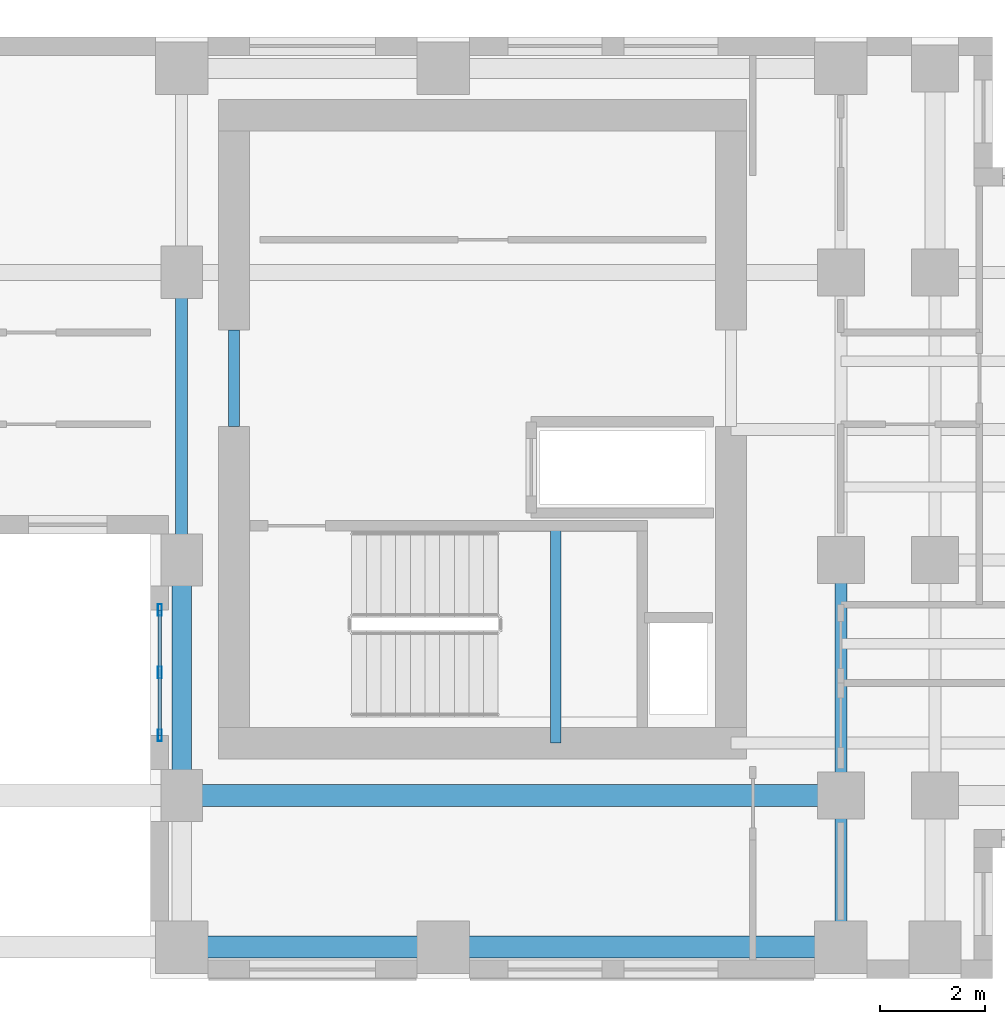
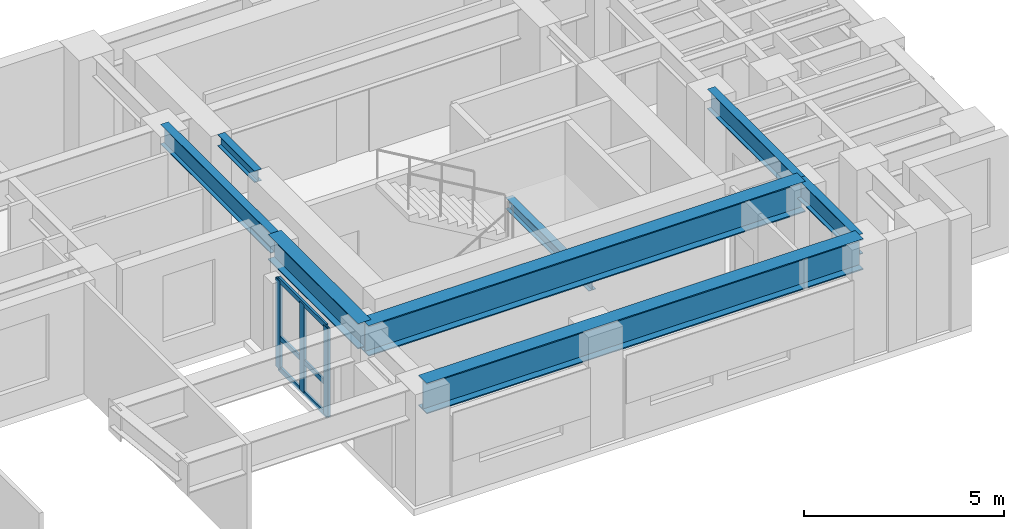
# One storey, part 2 of 13: 8 beams, 6 members, 1 element without a shape of its own.
"""IFC4 building model written with IfcOpenShell, lengths in metres."""

from ifc_helpers import new_model, si_unit, direction, frame, origin, origin_2d, place, context, subcontext, project, spatial, hollow_rectangle, i_section, extrude, source, transform, mapped, material, layer, layer_set, material_profile, profile_set, type_object, element, aggregate, save


model = new_model("IFC4")

# Units and contexts
model_context = context("Model", 3, precision=1e-05, world=origin(), true_north=direction((0.0, 1.0)))
body_context = subcontext(model_context, "Body", "Model", "MODEL_VIEW")
ifc_project = project(units=[si_unit("LENGTHUNIT", "METRE"), si_unit("AREAUNIT", "SQUARE_METRE"), si_unit("VOLUMEUNIT", "CUBIC_METRE"), si_unit("PLANEANGLEUNIT", "RADIAN"), si_unit("MASSUNIT", "GRAM", prefix="KILO")], contexts=[model_context])

# Site, building, storey
site_placement = place(None, origin())
site = spatial("IfcSite", under=ifc_project, at=site_placement, CompositionType="ELEMENT")
building_placement = place(site_placement, origin())
building = spatial("IfcBuilding", under=site, at=building_placement, Name="Kharzan Plaza Tower", CompositionType="ELEMENT")
storey_placement = place(building_placement, frame((0.0, 0.0, 189.89990234375)))
storey = spatial("IfcBuildingStorey", under=building, at=storey_placement, Name="L51", CompositionType="ELEMENT", Elevation=189.89990234375)

# Beams
ifc_material_1 = material(Name="Steel S355", Category="steel")
ifc_material_profile_1 = material_profile(ifc_material_1, i_section(OverallWidth=0.205078125, OverallDepth=0.35400390625, WebThickness=0.009521484375, FlangeThickness=0.016845703125, at=origin_2d()), Name="W360x79")
ifc_profile_set_1 = profile_set([ifc_material_profile_1], Name="Steel S355")
beam_type_1 = type_object("IfcBeamType", Name="BM-LNT360", PredefinedType="LINTEL", material=ifc_profile_set_1)
shared_shape_1 = source(origin(), body_context, "Body", "SweptSolid", [
    extrude(i_section(OverallWidth=0.205078125, OverallDepth=0.35400390625, WebThickness=0.009521484375, FlangeThickness=0.016845703125, at=origin_2d()), origin(), (0.0, 0.0, 1.0), 1.849853515625),
])
beam_1_placement = place(storey_placement, frame((36.0, 10.550048828125, 3.22314453125), z_axis=(0.0, 1.0, 0.0), x_axis=(-1.0, 0.0, 0.0)))
element("IfcBeam", 1, at=beam_1_placement, inside=storey, type_object=beam_type_1, Name="L51 CORE-B coupling lintel LN1-WW", PredefinedType="LINTEL", context=body_context, shape_type="MappedRepresentation", body=[
    mapped(shared_shape_1, transform((0.0, 0.0, 0.0), x_axis=(1.0, 0.0, 0.0), y_axis=(0.0, 1.0, 0.0), z_axis=(0.0, 0.0, 1.0))),
])
shared_shape_2 = source(origin(), body_context, "Body", "SweptSolid", [
    extrude(i_section(OverallWidth=0.205078125, OverallDepth=0.35400390625, WebThickness=0.009521484375, FlangeThickness=0.016845703125, at=origin_2d()), origin(), (0.0, 0.0, 1.0), 4.155029296875),
])
beam_2_placement = place(storey_placement, frame((42.14990234375, 4.5, 1.423095703125), z_axis=(0.0, 1.0, 0.0), x_axis=(-1.0, 0.0, 0.0)))
element("IfcBeam", 2, at=beam_2_placement, inside=storey, type_object=beam_type_1, Name="L51 Stair ST-3 Half-Landing Beam", PredefinedType="LINTEL", context=body_context, shape_type="MappedRepresentation", body=[
    mapped(shared_shape_2, transform((0.0, 0.0, 0.0), x_axis=(1.0, 0.0, 0.0), y_axis=(0.0, 1.0, 0.0), z_axis=(0.0, 0.0, 1.0))),
])
ifc_material_profile_2 = material_profile(ifc_material_1, i_section(OverallWidth=0.41796875, OverallDepth=0.93701171875, WebThickness=0.019287109375, FlangeThickness=0.031982421875, at=origin_2d()), Name="W920x342")
ifc_profile_set_2 = profile_set([ifc_material_profile_2], Name="Steel S355")
beam_type_2 = type_object("IfcBeamType", Name="BM-ZTB920", PredefinedType="BEAM", material=ifc_profile_set_2)
shared_shape_3 = source(origin(), body_context, "Body", "SweptSolid", [
    extrude(i_section(OverallWidth=0.41796875, OverallDepth=0.93701171875, WebThickness=0.019287109375, FlangeThickness=0.031982421875, at=origin_2d()), origin(), (0.0, 0.0, 1.0), 12.60009765625),
])
for number, where, z_axis, x_axis, name in (
    (3, (47.60009765625, 0.60009765625, 2.931640625), (-1.0, 0.0, 0.0), (0.0, -1.0, 0.0), "L51 Sky-Terrace Back-Span Girder ZTB1 (L52 G1)"),
    (4, (47.60009765625, 3.5, 2.931640625), (-1.0, 0.0, 0.0), (0.0, -1.0, 0.0), "L51 Sky-Terrace Back-Span Girder ZTB1 (L52 G2)"),
):
    element("IfcBeam", number, at=place(storey_placement, frame(where, z_axis=z_axis, x_axis=x_axis)), inside=storey, type_object=beam_type_2, Name=name, PredefinedType="BEAM", context=body_context, shape_type="MappedRepresentation", body=[
        mapped(shared_shape_3, transform((0.0, 0.0, 0.0), x_axis=(1.0, 0.0, 0.0), y_axis=(0.0, 1.0, 0.0), z_axis=(0.0, 0.0, 1.0))),
    ])

# Curtain wall, members
ifc_material_2 = material(Name="Unitised Bronze-Anodized Aluminium and Low-E Glass", Category="aluminium")
ifc_layer = layer(ifc_material_2, 0.199951171875)
ifc_layer_set = layer_set([ifc_layer], Name="Unitised Bronze-Anodized Aluminium and Low-E Glass")
curtain_wall_type = type_object("IfcCurtainWallType", Name="CW-SLOT-3", PredefinedType="NOTDEFINED", material=ifc_layer_set)
curtain_wall_placement = place(storey_placement, origin())
curtain_wall = element("IfcCurtainWall", 5, at=curtain_wall_placement, inside=storey, type_object=curtain_wall_type, Name="L51 East Slot Recessed Spine Curtain Wall", PredefinedType="NOTDEFINED")
ifc_material_3 = material(Name="Anodized Bronze Aluminium", Category="aluminium")
ifc_material_profile_3 = material_profile(ifc_material_3, hollow_rectangle(XDim=0.06005859375, YDim=0.14990234375, WallThickness=0.00341796875, at=origin_2d()), Name="ALU-T150x60x3.5")
ifc_profile_set_3 = profile_set([ifc_material_profile_3], Name="Anodized Bronze Aluminium")
member_type_1 = type_object("IfcMemberType", Name="MEM-CW-TRN150", PredefinedType="USERDEFINED", material=ifc_profile_set_3)
shared_shape_4 = source(origin(), body_context, "Body", "SweptSolid", [
    extrude(hollow_rectangle(XDim=0.06005859375, YDim=0.14990234375, WallThickness=0.00341796875, at=origin_2d()), origin(), (0.0, 0.0, 1.0), 2.400146484375),
])
member_1_placement = place(storey_placement, frame((34.580078125, 4.64990234375, 0.0), z_axis=(0.0, 1.0, 0.0), x_axis=(-1.0, 0.0, 0.0)))
member_1 = element("IfcMember", 6, at=member_1_placement, type_object=member_type_1, Name="L51 Curtain-Wall Transom 1", ObjectType="TRANSOM", PredefinedType="USERDEFINED", context=body_context, shape_type="MappedRepresentation", body=[
    mapped(shared_shape_4, transform((0.0, 0.0, 0.0), x_axis=(1.0, 0.0, 0.0), y_axis=(0.0, 1.0, 0.0), z_axis=(0.0, 0.0, 1.0))),
])
member_2_placement = place(storey_placement, frame((34.580078125, 4.64990234375, 0.9501953125), z_axis=(0.0, 1.0, 0.0), x_axis=(-1.0, 0.0, 0.0)))
member_2 = element("IfcMember", 7, at=member_2_placement, type_object=member_type_1, Name="L51 Curtain-Wall Transom 2", ObjectType="TRANSOM", PredefinedType="USERDEFINED", context=body_context, shape_type="MappedRepresentation", body=[
    mapped(shared_shape_4, transform((0.0, 0.0, 0.0), x_axis=(1.0, 0.0, 0.0), y_axis=(0.0, 1.0, 0.0), z_axis=(0.0, 0.0, 1.0))),
])
member_3_placement = place(storey_placement, frame((34.580078125, 4.64990234375, 2.7001953125), z_axis=(0.0, 1.0, 0.0), x_axis=(-1.0, 0.0, 0.0)))
member_3 = element("IfcMember", 8, at=member_3_placement, type_object=member_type_1, Name="L51 Curtain-Wall Transom 3", ObjectType="TRANSOM", PredefinedType="USERDEFINED", context=body_context, shape_type="MappedRepresentation", body=[
    mapped(shared_shape_4, transform((0.0, 0.0, 0.0), x_axis=(1.0, 0.0, 0.0), y_axis=(0.0, 1.0, 0.0), z_axis=(0.0, 0.0, 1.0))),
])
ifc_material_profile_4 = material_profile(ifc_material_3, hollow_rectangle(XDim=0.074951171875, YDim=0.219970703125, WallThickness=0.00390625, at=origin_2d()), Name="ALU-M220x75x4")
ifc_profile_set_4 = profile_set([ifc_material_profile_4], Name="Anodized Bronze Aluminium")
member_type_2 = type_object("IfcMemberType", Name="MEM-CW-MUL200", PredefinedType="MULLION", material=ifc_profile_set_4)
shared_shape_5 = source(origin(), body_context, "Body", "SweptSolid", [
    extrude(hollow_rectangle(XDim=0.074951171875, YDim=0.219970703125, WallThickness=0.00390625, at=origin_2d()), origin(), (0.0, 0.0, 1.0), 2.7001953125),
])
member_4_placement = place(storey_placement, frame((34.580078125, 4.64990234375, 0.0), z_axis=(0.0, 0.0, 1.0), x_axis=(1.0, 0.0, 0.0)))
member_4 = element("IfcMember", 9, at=member_4_placement, type_object=member_type_2, Name="L51 Curtain-Wall Mullion 00", PredefinedType="MULLION", context=body_context, shape_type="MappedRepresentation", body=[
    mapped(shared_shape_5, transform((0.0, 0.0, 0.0), x_axis=(1.0, 0.0, 0.0), y_axis=(0.0, 1.0, 0.0), z_axis=(0.0, 0.0, 1.0))),
])
member_5_placement = place(storey_placement, frame((34.580078125, 5.85009765625, 0.0), z_axis=(0.0, 0.0, 1.0), x_axis=(1.0, 0.0, 0.0)))
member_5 = element("IfcMember", 10, at=member_5_placement, type_object=member_type_2, Name="L51 Curtain-Wall Mullion 01", PredefinedType="MULLION", context=body_context, shape_type="MappedRepresentation", body=[
    mapped(shared_shape_5, transform((0.0, 0.0, 0.0), x_axis=(1.0, 0.0, 0.0), y_axis=(0.0, 1.0, 0.0), z_axis=(0.0, 0.0, 1.0))),
])
member_6_placement = place(storey_placement, frame((34.580078125, 7.050048828125, 0.0), z_axis=(0.0, 0.0, 1.0), x_axis=(1.0, 0.0, 0.0)))
member_6 = element("IfcMember", 11, at=member_6_placement, type_object=member_type_2, Name="L51 Curtain-Wall Mullion 02", PredefinedType="MULLION", context=body_context, shape_type="MappedRepresentation", body=[
    mapped(shared_shape_5, transform((0.0, 0.0, 0.0), x_axis=(1.0, 0.0, 0.0), y_axis=(0.0, 1.0, 0.0), z_axis=(0.0, 0.0, 1.0))),
])
aggregate(curtain_wall, [member_4, member_5, member_6, member_1, member_2, member_3])

# Beams
ifc_material_profile_5 = material_profile(ifc_material_1, i_section(OverallWidth=0.22900390625, OverallDepth=0.612060546875, WebThickness=0.011962890625, FlangeThickness=0.01953125, at=origin_2d()), Name="W610x125")
ifc_profile_set_5 = profile_set([ifc_material_profile_5], Name="Steel S355")
beam_type_3 = type_object("IfcBeamType", Name="BM-FG610B", PredefinedType="BEAM", material=ifc_profile_set_5)
shared_shape_6 = source(origin(), body_context, "Body", "SweptSolid", [
    extrude(i_section(OverallWidth=0.22900390625, OverallDepth=0.612060546875, WebThickness=0.011962890625, FlangeThickness=0.01953125, at=origin_2d()), origin(), (0.0, 0.0, 1.0), 4.5),
])
beam_3_placement = place(storey_placement, frame((47.60009765625, 3.5, 3.093994140625), z_axis=(0.0, 1.0, 0.0), x_axis=(-1.0, 0.0, 0.0)))
element("IfcBeam", 12, at=beam_3_placement, inside=storey, type_object=beam_type_3, Name="L51 Interior Frame Girder", PredefinedType="BEAM", context=body_context, shape_type="MappedRepresentation", body=[
    mapped(shared_shape_6, transform((0.0, 0.0, 0.0), x_axis=(1.0, 0.0, 0.0), y_axis=(0.0, 1.0, 0.0), z_axis=(0.0, 0.0, 1.0))),
])
shared_shape_7 = source(origin(), body_context, "Body", "SweptSolid", [
    extrude(i_section(OverallWidth=0.22900390625, OverallDepth=0.612060546875, WebThickness=0.011962890625, FlangeThickness=0.01953125, at=origin_2d()), origin(), (0.0, 0.0, 1.0), 5.5),
])
beam_4_placement = place(storey_placement, frame((35.0, 8.0, 3.093994140625), z_axis=(0.0, 1.0, 0.0), x_axis=(-1.0, 0.0, 0.0)))
element("IfcBeam", 13, at=beam_4_placement, inside=storey, type_object=beam_type_3, Name="L51 Interior Frame Girder", PredefinedType="BEAM", context=body_context, shape_type="MappedRepresentation", body=[
    mapped(shared_shape_7, transform((0.0, 0.0, 0.0), x_axis=(1.0, 0.0, 0.0), y_axis=(0.0, 1.0, 0.0), z_axis=(0.0, 0.0, 1.0))),
])
shared_shape_8 = source(origin(), body_context, "Body", "SweptSolid", [
    extrude(i_section(OverallWidth=0.22900390625, OverallDepth=0.612060546875, WebThickness=0.011962890625, FlangeThickness=0.01953125, at=origin_2d()), origin(), (0.0, 0.0, 1.0), 2.89990234375),
])
beam_5_placement = place(storey_placement, frame((47.60009765625, 0.60009765625, 3.093994140625), z_axis=(0.0, 1.0, 0.0), x_axis=(-1.0, 0.0, 0.0)))
element("IfcBeam", 14, at=beam_5_placement, inside=storey, type_object=beam_type_3, Name="L51 Interior Frame Girder", PredefinedType="BEAM", context=body_context, shape_type="MappedRepresentation", body=[
    mapped(shared_shape_8, transform((0.0, 0.0, 0.0), x_axis=(1.0, 0.0, 0.0), y_axis=(0.0, 1.0, 0.0), z_axis=(0.0, 0.0, 1.0))),
])
ifc_material_profile_6 = material_profile(ifc_material_1, i_section(OverallWidth=0.381103515625, OverallDepth=0.77294921875, WebThickness=0.0166015625, FlangeThickness=0.027587890625, at=origin_2d()), Name="W760x257")
ifc_profile_set_6 = profile_set([ifc_material_profile_6], Name="Steel S355")
beam_type_4 = type_object("IfcBeamType", Name="BM-SP760A", PredefinedType="SPANDREL", material=ifc_profile_set_6)
shared_shape_9 = source(origin(), body_context, "Body", "SweptSolid", [
    extrude(i_section(OverallWidth=0.381103515625, OverallDepth=0.77294921875, WebThickness=0.0166015625, FlangeThickness=0.027587890625, at=origin_2d()), origin(), (0.0, 0.0, 1.0), 4.5),
])
beam_6_placement = place(storey_placement, frame((35.0, 3.5, 3.013671875), z_axis=(0.0, 1.0, 0.0), x_axis=(-1.0, 0.0, 0.0)))
element("IfcBeam", 15, at=beam_6_placement, inside=storey, type_object=beam_type_4, Name="L51 Perimeter Tube Spandrel", PredefinedType="SPANDREL", context=body_context, shape_type="MappedRepresentation", body=[
    mapped(shared_shape_9, transform((0.0, 0.0, 0.0), x_axis=(1.0, 0.0, 0.0), y_axis=(0.0, 1.0, 0.0), z_axis=(0.0, 0.0, 1.0))),
])

save(model, "model.ifc")
